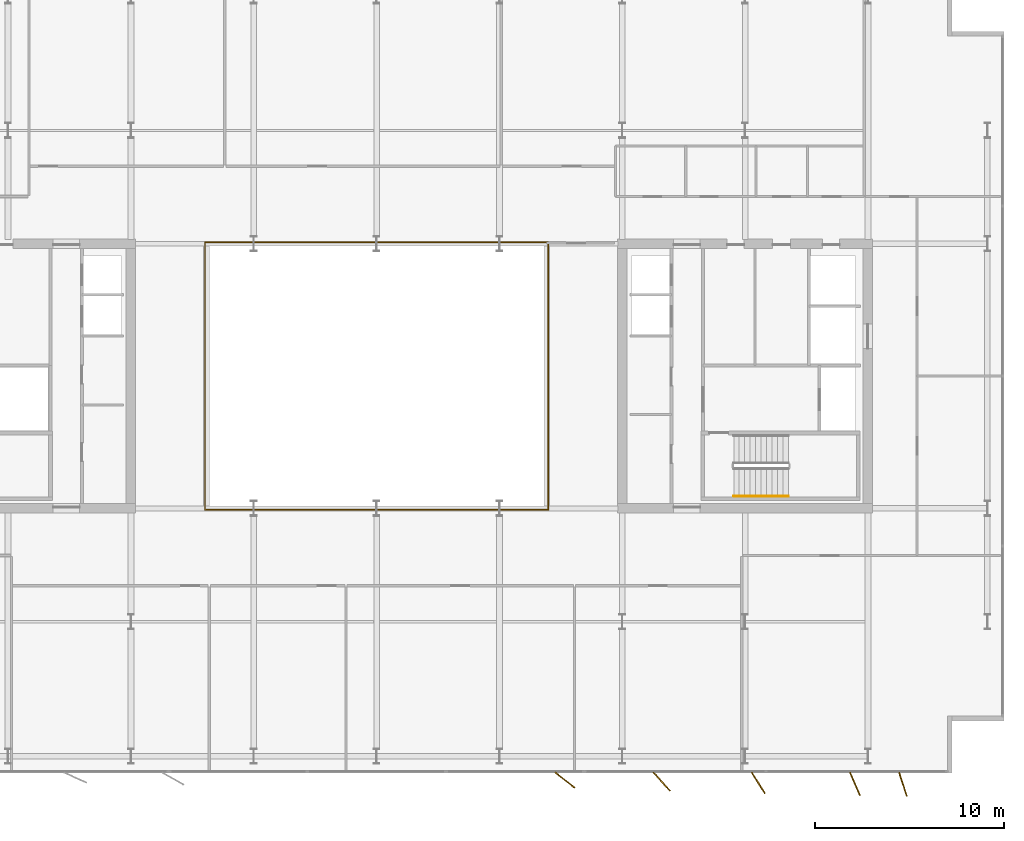
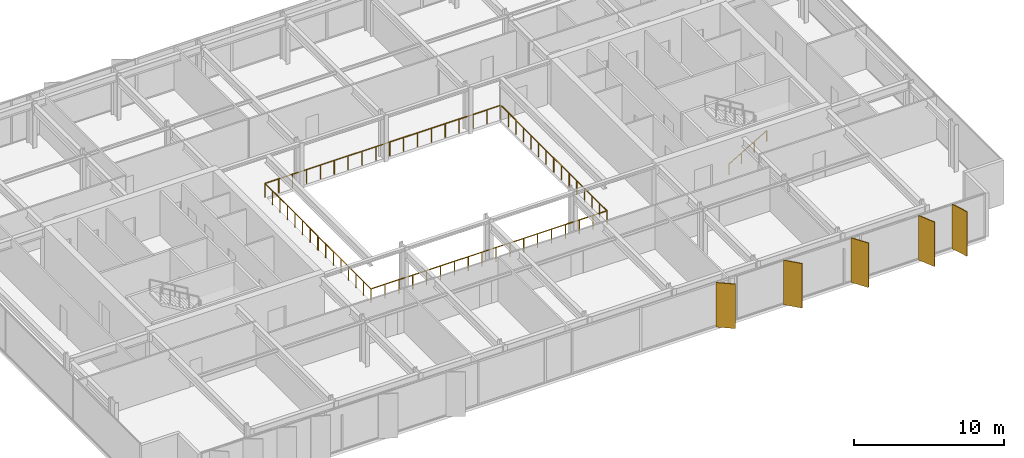
# One storey, part 21 of 23: 5 shading devices, 3 railings.
"""IFC4 building model written with IfcOpenShell, lengths in metres."""

import ifcopenshell
import ifcopenshell.guid

model = None  # the IFC model being written
_history = None  # IfcOwnerHistory: only IFC2X3 demands one
_inside = {}  # id of a spatial element -> (the spatial element, [elements in it])
_under = {}  # id of a project, library or spatial element -> (it, [spatial elements below it])
_declared = {}  # id of a project -> (the project, [libraries it declares])
_typed = {}  # id of a type object -> (the type object, [elements of that type])
_made_of = {}  # id of a material, layer set ... -> (it, [elements and type objects made of it])


def new_model(schema):
    """Start an empty IFC model of exactly this schema.

    Asked for "IFC4X3", IfcOpenShell would pick the latest addendum, in which some entities
    have other attributes; the version numbers below select the first issue.
    IFC2X3 requires an IfcOwnerHistory on every rooted entity: one is made here for all.
    """
    global model, _history
    if schema == "IFC4X3":
        model = ifcopenshell.file(schema_version=(4, 3, 0, 0))
    else:
        model = ifcopenshell.file(schema=schema)
    _inside.clear()
    _under.clear()
    _declared.clear()
    _typed.clear()
    _made_of.clear()
    _history = None
    if model.schema == "IFC2X3":
        org = make("IfcOrganization", Name="unknown")
        user = make(
            "IfcPersonAndOrganization",
            ThePerson=make("IfcPerson", FamilyName="unknown"),
            TheOrganization=org,
        )
        app = make(
            "IfcApplication",
            ApplicationDeveloper=org,
            Version="unknown",
            ApplicationFullName="unknown",
            ApplicationIdentifier="unknown",
        )
        _history = make(
            "IfcOwnerHistory",
            OwningUser=user,
            OwningApplication=app,
            ChangeAction="ADDED",
            CreationDate=0,
        )
    return model


def make(cls, **values):
    """One entity of the class cls with the attributes given. An attribute that is None is left unset."""
    return model.create_entity(
        cls, **{name: value for name, value in values.items() if value is not None}
    )


def rooted(cls, **values):
    """An entity with a GlobalId (a new one), such as an element, a storey or a relation."""
    return make(cls, GlobalId=ifcopenshell.guid.new(), OwnerHistory=_history, **values)


def si_unit(unit_type, name, prefix=None):
    """IfcSIUnit, for example si_unit("LENGTHUNIT", "METRE", prefix="MILLI")."""
    return make("IfcSIUnit", UnitType=unit_type, Prefix=prefix, Name=name)


def assignment(units):
    """IfcUnitAssignment: the units of a project."""
    return None if units is None else make("IfcUnitAssignment", Units=units)


def point(xyz):
    """IfcCartesianPoint."""
    return None if xyz is None else make("IfcCartesianPoint", Coordinates=xyz)


def direction(xyz):
    """IfcDirection."""
    return None if xyz is None else make("IfcDirection", DirectionRatios=xyz)


def frame(location, z_axis=None, x_axis=None):
    """IfcAxis2Placement3D, a coordinate frame: its origin and axes. An axis left out is left unset."""
    return make(
        "IfcAxis2Placement3D",
        Location=point(location),
        Axis=direction(z_axis),
        RefDirection=direction(x_axis),
    )


def frame_2d(location, x_axis=None):
    """IfcAxis2Placement2D, a coordinate frame in the plane: its origin and x axis."""
    return make(
        "IfcAxis2Placement2D", Location=point(location), RefDirection=direction(x_axis)
    )


def origin():
    """The frame at (0, 0, 0) with its axes left unset."""
    return frame((0.0, 0.0, 0.0))


def origin_2d():
    """The frame at (0, 0) in the plane with its x axis left unset."""
    return frame_2d((0.0, 0.0))


def place(relative_to, where):
    """IfcLocalPlacement: puts the frame where relative to a parent placement (None: the world)."""
    return make(
        "IfcLocalPlacement", PlacementRelTo=relative_to, RelativePlacement=where
    )


def context(
    kind, dimensions, precision=None, world=None, true_north=None, identifier=None
):
    """IfcGeometricRepresentationContext, for example the 3D "Model" context."""
    return make(
        "IfcGeometricRepresentationContext",
        ContextIdentifier=identifier,
        ContextType=kind,
        CoordinateSpaceDimension=dimensions,
        Precision=precision,
        WorldCoordinateSystem=world,
        TrueNorth=true_north,
    )


def subcontext(parent, identifier, kind, view, scale=None):
    """IfcGeometricRepresentationSubContext, for example "Body" below "Model"."""
    return make(
        "IfcGeometricRepresentationSubContext",
        ContextIdentifier=identifier,
        ContextType=kind,
        ParentContext=parent,
        TargetScale=scale,
        TargetView=view,
    )


def project(units=None, contexts=None):
    """IfcProject with its units and contexts."""
    return rooted(
        "IfcProject",
        Name="project",
        RepresentationContexts=contexts,
        UnitsInContext=assignment(units),
    )


def spatial(cls, under=None, at=None, **own):
    """A site, building, storey or space (cls), placed at a placement, below another one or the project."""
    s = rooted(cls, ObjectPlacement=at, **own)
    if under is not None:
        _under.setdefault(under.id(), (under, []))[1].append(s)
    return s


def profile(cls, at=None, kind="AREA", **sizes):
    """A parametric profile (cls). Its sizes go by their IFC names, for example OverallWidth=200.0."""
    return make(cls, ProfileType=kind, Position=at, **sizes)


def rectangle(**sizes):
    """IfcRectangleProfileDef."""
    return profile("IfcRectangleProfileDef", **sizes)


def circle(**sizes):
    """IfcCircleProfileDef."""
    return profile("IfcCircleProfileDef", **sizes)


def extrude(swept, where, along, depth):
    """IfcExtrudedAreaSolid: the profile swept, set in the frame where, extruded along a direction by depth."""
    return make(
        "IfcExtrudedAreaSolid",
        SweptArea=swept,
        Position=where,
        ExtrudedDirection=direction(along),
        Depth=depth,
    )


def shape(context_of_items, identifier, shape_type, items):
    """IfcShapeRepresentation: the items that make up one representation, for example the "Body"."""
    return make(
        "IfcShapeRepresentation",
        ContextOfItems=context_of_items,
        RepresentationIdentifier=identifier,
        RepresentationType=shape_type,
        Items=items,
    )


def material(Name=None, Category=None):
    """IfcMaterial."""
    return make("IfcMaterial", Name=Name, Category=Category)


def layer(
    of_material, thickness, ventilated=None, Name=None, Category=None, Priority=None
):
    """IfcMaterialLayer: one layer of a wall or slab, of a material (None: an air gap)."""
    return make(
        "IfcMaterialLayer",
        Material=of_material,
        LayerThickness=thickness,
        IsVentilated=ventilated,
        Name=Name,
        Category=Category,
        Priority=Priority,
    )


def layer_set(layers, Name=None):
    """IfcMaterialLayerSet."""
    return make("IfcMaterialLayerSet", MaterialLayers=layers, LayerSetName=Name)


def made_of(thing, what):
    """Note that an element or type object is made of a material, layer set ...; save() writes the relation."""
    if what is not None:
        _made_of.setdefault(what.id(), (what, []))[1].append(thing)
    return thing


def type_object(cls, material=None, **own):
    """A type object (cls), such as IfcWallType, which elements share."""
    return made_of(rooted(cls, **own), material)


def element(
    cls,
    number,
    at=None,
    inside=None,
    cuts=None,
    type_object=None,
    material=None,
    context=None,
    identifier="Body",
    shape_type=None,
    held_by="IfcProductDefinitionShape",
    body=None,
    shapes=None,
    **own,
):
    """One element of the class cls, such as IfcWall. Its Tag is "e" and its number.

    at: its placement. inside: the storey or other place that contains it. cuts: it is an
    opening in that element (IfcRelVoidsElement). A single representation is given by context,
    identifier, shape_type and body (its items); several are given by shapes. held_by: the class
    of the entity that holds the representations. save() writes the other relations.
    """
    e = rooted(cls, Tag="e%d" % number, ObjectPlacement=at, **own)
    if body is not None:
        shapes = [shape(context, identifier, shape_type, body)]
    if shapes is not None:
        e.Representation = make(held_by, Representations=shapes)
    if inside is not None:
        _inside.setdefault(inside.id(), (inside, []))[1].append(e)
    if cuts is not None:
        rooted(
            "IfcRelVoidsElement", RelatingBuildingElement=cuts, RelatedOpeningElement=e
        )
    if type_object is not None:
        _typed.setdefault(type_object.id(), (type_object, []))[1].append(e)
    return made_of(e, material)


def aggregate(whole, parts):
    """IfcRelAggregates: a whole, such as a stair, and the parts it consists of."""
    return rooted("IfcRelAggregates", RelatingObject=whole, RelatedObjects=parts)


def save(model, path):
    """Write the relations noted so far, then the file.

    IfcRelAggregates (storeys below a building ...), IfcRelContainedInSpatialStructure (elements
    in a storey), IfcRelDefinesByType, IfcRelAssociatesMaterial and IfcRelDeclares: one each for
    every whole, place, type object, material and project.
    """
    for whole, parts in _under.values():
        aggregate(whole, parts)
    for where, things in _inside.values():
        rooted(
            "IfcRelContainedInSpatialStructure",
            RelatedElements=things,
            RelatingStructure=where,
        )
    for kind, things in _typed.values():
        rooted("IfcRelDefinesByType", RelatedObjects=things, RelatingType=kind)
    for what, things in _made_of.values():
        rooted("IfcRelAssociatesMaterial", RelatedObjects=things, RelatingMaterial=what)
    for by, libraries in _declared.values():
        rooted("IfcRelDeclares", RelatingContext=by, RelatedDefinitions=libraries)
    model.write(path)


model = new_model("IFC4")

# Units and contexts
model_context = context("Model", 3, precision=1e-05, world=origin(), true_north=direction((0.0, 1.0)))
body_context = subcontext(model_context, "Body", "Model", "MODEL_VIEW")
ifc_project = project(units=[si_unit("LENGTHUNIT", "METRE"), si_unit("AREAUNIT", "SQUARE_METRE"), si_unit("VOLUMEUNIT", "CUBIC_METRE"), si_unit("PLANEANGLEUNIT", "RADIAN"), si_unit("MASSUNIT", "GRAM", prefix="KILO")], contexts=[model_context])

# Site, building, storey
site_placement = place(None, origin())
site = spatial("IfcSite", under=ifc_project, at=site_placement, CompositionType="ELEMENT")
building_placement = place(site_placement, origin())
building = spatial("IfcBuilding", under=site, at=building_placement, Name="Putna Gate Headquarters", CompositionType="ELEMENT")
storey_placement = place(building_placement, frame((0.0, 0.0, 210.0)))
storey = spatial("IfcBuildingStorey", under=building, at=storey_placement, Name="L52", CompositionType="ELEMENT", Elevation=210.0)

# Railings
ifc_material_1 = material(Name="Anodised bronze and laminated glass atrium balustrade", Category="glass")
railing_type_1 = type_object("IfcRailingType", Name="RAIL-ATRIUM-GUARD-1150", PredefinedType="GUARDRAIL", material=ifc_material_1)
railing_1_placement = place(storey_placement, frame((29.919921875, 25.969970703125, 0.0)))
element("IfcRailing", 1, at=railing_1_placement, inside=storey, type_object=railing_type_1, Name="L52 Central Atrium Glazed Balustrade South", PredefinedType="GUARDRAIL", context=body_context, shape_type="SweptSolid", body=[
    extrude(circle(Radius=0.02392578125, at=origin_2d()), frame((0.0, 0.0, 1.1259765625), z_axis=(0.0, -1.0, 0.0), x_axis=(1.0, 0.0, 0.0)), (0.0, 0.0, 1.0), 7.050048828125),
    extrude(circle(Radius=0.02392578125, at=origin_2d()), frame((0.0, -7.050048828125, 1.1259765625), z_axis=(1.0, 0.0, 0.0), x_axis=(0.0, 1.0, 0.0)), (0.0, 0.0, 1.0), 18.16015625),
    extrude(circle(Radius=0.02392578125, at=origin_2d()), frame((18.16015625, -7.050048828125, 1.1259765625), z_axis=(0.0, 1.0, 0.0), x_axis=(-1.0, 0.0, 0.0)), (0.0, 0.0, 1.0), 7.050048828125),
    extrude(circle(Radius=0.02099609375, at=origin_2d()), origin(), (0.0, 0.0, 1.0), 1.101806640625),
    extrude(circle(Radius=0.02099609375, at=origin_2d()), frame((0.0, -1.007080078125, 0.0)), (0.0, 0.0, 1.0), 1.101806640625),
    extrude(circle(Radius=0.02099609375, at=origin_2d()), frame((0.0, -2.014404296875, 0.0)), (0.0, 0.0, 1.0), 1.101806640625),
    extrude(circle(Radius=0.02099609375, at=origin_2d()), frame((0.0, -3.021484375, 0.0)), (0.0, 0.0, 1.0), 1.101806640625),
    extrude(circle(Radius=0.02099609375, at=origin_2d()), frame((0.0, -4.028564453125, 0.0)), (0.0, 0.0, 1.0), 1.101806640625),
    extrude(circle(Radius=0.02099609375, at=origin_2d()), frame((0.0, -5.03564453125, 0.0)), (0.0, 0.0, 1.0), 1.101806640625),
    extrude(circle(Radius=0.02099609375, at=origin_2d()), frame((0.0, -6.04296875, 0.0)), (0.0, 0.0, 1.0), 1.101806640625),
    extrude(circle(Radius=0.02099609375, at=origin_2d()), frame((0.0, -7.050048828125, 0.0)), (0.0, 0.0, 1.0), 1.101806640625),
    extrude(circle(Radius=0.02099609375, at=origin_2d()), frame((1.068359375, -7.050048828125, 0.0)), (0.0, 0.0, 1.0), 1.101806640625),
    extrude(circle(Radius=0.02099609375, at=origin_2d()), frame((2.136474609375, -7.050048828125, 0.0)), (0.0, 0.0, 1.0), 1.101806640625),
    extrude(circle(Radius=0.02099609375, at=origin_2d()), frame((3.204833984375, -7.050048828125, 0.0)), (0.0, 0.0, 1.0), 1.101806640625),
    extrude(circle(Radius=0.02099609375, at=origin_2d()), frame((4.27294921875, -7.050048828125, 0.0)), (0.0, 0.0, 1.0), 1.101806640625),
    extrude(circle(Radius=0.02099609375, at=origin_2d()), frame((5.34130859375, -7.050048828125, 0.0)), (0.0, 0.0, 1.0), 1.101806640625),
    extrude(circle(Radius=0.02099609375, at=origin_2d()), frame((6.409423828125, -7.050048828125, 0.0)), (0.0, 0.0, 1.0), 1.101806640625),
    extrude(circle(Radius=0.02099609375, at=origin_2d()), frame((7.477783203125, -7.050048828125, 0.0)), (0.0, 0.0, 1.0), 1.101806640625),
    extrude(circle(Radius=0.02099609375, at=origin_2d()), frame((8.5458984375, -7.050048828125, 0.0)), (0.0, 0.0, 1.0), 1.101806640625),
    extrude(circle(Radius=0.02099609375, at=origin_2d()), frame((9.6142578125, -7.050048828125, 0.0)), (0.0, 0.0, 1.0), 1.101806640625),
    extrude(circle(Radius=0.02099609375, at=origin_2d()), frame((10.682373046875, -7.050048828125, 0.0)), (0.0, 0.0, 1.0), 1.101806640625),
    extrude(circle(Radius=0.02099609375, at=origin_2d()), frame((11.750732421875, -7.050048828125, 0.0)), (0.0, 0.0, 1.0), 1.101806640625),
    extrude(circle(Radius=0.02099609375, at=origin_2d()), frame((12.81884765625, -7.050048828125, 0.0)), (0.0, 0.0, 1.0), 1.101806640625),
    extrude(circle(Radius=0.02099609375, at=origin_2d()), frame((13.88720703125, -7.050048828125, 0.0)), (0.0, 0.0, 1.0), 1.101806640625),
    extrude(circle(Radius=0.02099609375, at=origin_2d()), frame((14.955322265625, -7.050048828125, 0.0)), (0.0, 0.0, 1.0), 1.101806640625),
    extrude(circle(Radius=0.02099609375, at=origin_2d()), frame((16.023681640625, -7.050048828125, 0.0)), (0.0, 0.0, 1.0), 1.101806640625),
    extrude(circle(Radius=0.02099609375, at=origin_2d()), frame((17.091796875, -7.050048828125, 0.0)), (0.0, 0.0, 1.0), 1.101806640625),
    extrude(circle(Radius=0.02099609375, at=origin_2d()), frame((18.16015625, -7.050048828125, 0.0)), (0.0, 0.0, 1.0), 1.101806640625),
    extrude(circle(Radius=0.02099609375, at=origin_2d()), frame((18.16015625, -6.04296875, 0.0)), (0.0, 0.0, 1.0), 1.101806640625),
    extrude(circle(Radius=0.02099609375, at=origin_2d()), frame((18.16015625, -5.03564453125, 0.0)), (0.0, 0.0, 1.0), 1.101806640625),
    extrude(circle(Radius=0.02099609375, at=origin_2d()), frame((18.16015625, -4.028564453125, 0.0)), (0.0, 0.0, 1.0), 1.101806640625),
    extrude(circle(Radius=0.02099609375, at=origin_2d()), frame((18.16015625, -3.021484375, 0.0)), (0.0, 0.0, 1.0), 1.101806640625),
    extrude(circle(Radius=0.02099609375, at=origin_2d()), frame((18.16015625, -2.014404296875, 0.0)), (0.0, 0.0, 1.0), 1.101806640625),
    extrude(circle(Radius=0.02099609375, at=origin_2d()), frame((18.16015625, -1.007080078125, 0.0)), (0.0, 0.0, 1.0), 1.101806640625),
    extrude(circle(Radius=0.02099609375, at=origin_2d()), frame((18.16015625, 0.0, 0.0)), (0.0, 0.0, 1.0), 1.101806640625),
])
railing_2_placement = place(storey_placement, frame((48.080078125, 26.030029296875, 0.0)))
element("IfcRailing", 2, at=railing_2_placement, inside=storey, type_object=railing_type_1, Name="L52 Central Atrium Glazed Balustrade North", PredefinedType="GUARDRAIL", context=body_context, shape_type="SweptSolid", body=[
    extrude(circle(Radius=0.02392578125, at=origin_2d()), frame((0.0, 0.0, 1.1259765625), z_axis=(0.0, 1.0, 0.0), x_axis=(-1.0, 0.0, 0.0)), (0.0, 0.0, 1.0), 7.050048828125),
    extrude(circle(Radius=0.02392578125, at=origin_2d()), frame((0.0, 7.050048828125, 1.1259765625), z_axis=(-1.0, 0.0, 0.0), x_axis=(0.0, -1.0, 0.0)), (0.0, 0.0, 1.0), 18.16015625),
    extrude(circle(Radius=0.02392578125, at=origin_2d()), frame((-18.16015625, 7.050048828125, 1.1259765625), z_axis=(0.0, -1.0, 0.0), x_axis=(1.0, 0.0, 0.0)), (0.0, 0.0, 1.0), 7.050048828125),
    extrude(circle(Radius=0.02099609375, at=origin_2d()), origin(), (0.0, 0.0, 1.0), 1.101806640625),
    extrude(circle(Radius=0.02099609375, at=origin_2d()), frame((0.0, 1.007080078125, 0.0)), (0.0, 0.0, 1.0), 1.101806640625),
    extrude(circle(Radius=0.02099609375, at=origin_2d()), frame((0.0, 2.014404296875, 0.0)), (0.0, 0.0, 1.0), 1.101806640625),
    extrude(circle(Radius=0.02099609375, at=origin_2d()), frame((0.0, 3.021484375, 0.0)), (0.0, 0.0, 1.0), 1.101806640625),
    extrude(circle(Radius=0.02099609375, at=origin_2d()), frame((0.0, 4.028564453125, 0.0)), (0.0, 0.0, 1.0), 1.101806640625),
    extrude(circle(Radius=0.02099609375, at=origin_2d()), frame((0.0, 5.03564453125, 0.0)), (0.0, 0.0, 1.0), 1.101806640625),
    extrude(circle(Radius=0.02099609375, at=origin_2d()), frame((0.0, 6.04296875, 0.0)), (0.0, 0.0, 1.0), 1.101806640625),
    extrude(circle(Radius=0.02099609375, at=origin_2d()), frame((0.0, 7.050048828125, 0.0)), (0.0, 0.0, 1.0), 1.101806640625),
    extrude(circle(Radius=0.02099609375, at=origin_2d()), frame((-1.068359375, 7.050048828125, 0.0)), (0.0, 0.0, 1.0), 1.101806640625),
    extrude(circle(Radius=0.02099609375, at=origin_2d()), frame((-2.136474609375, 7.050048828125, 0.0)), (0.0, 0.0, 1.0), 1.101806640625),
    extrude(circle(Radius=0.02099609375, at=origin_2d()), frame((-3.204833984375, 7.050048828125, 0.0)), (0.0, 0.0, 1.0), 1.101806640625),
    extrude(circle(Radius=0.02099609375, at=origin_2d()), frame((-4.27294921875, 7.050048828125, 0.0)), (0.0, 0.0, 1.0), 1.101806640625),
    extrude(circle(Radius=0.02099609375, at=origin_2d()), frame((-5.34130859375, 7.050048828125, 0.0)), (0.0, 0.0, 1.0), 1.101806640625),
    extrude(circle(Radius=0.02099609375, at=origin_2d()), frame((-6.409423828125, 7.050048828125, 0.0)), (0.0, 0.0, 1.0), 1.101806640625),
    extrude(circle(Radius=0.02099609375, at=origin_2d()), frame((-7.477783203125, 7.050048828125, 0.0)), (0.0, 0.0, 1.0), 1.101806640625),
    extrude(circle(Radius=0.02099609375, at=origin_2d()), frame((-8.5458984375, 7.050048828125, 0.0)), (0.0, 0.0, 1.0), 1.101806640625),
    extrude(circle(Radius=0.02099609375, at=origin_2d()), frame((-9.6142578125, 7.050048828125, 0.0)), (0.0, 0.0, 1.0), 1.101806640625),
    extrude(circle(Radius=0.02099609375, at=origin_2d()), frame((-10.682373046875, 7.050048828125, 0.0)), (0.0, 0.0, 1.0), 1.101806640625),
    extrude(circle(Radius=0.02099609375, at=origin_2d()), frame((-11.750732421875, 7.050048828125, 0.0)), (0.0, 0.0, 1.0), 1.101806640625),
    extrude(circle(Radius=0.02099609375, at=origin_2d()), frame((-12.81884765625, 7.050048828125, 0.0)), (0.0, 0.0, 1.0), 1.101806640625),
    extrude(circle(Radius=0.02099609375, at=origin_2d()), frame((-13.88720703125, 7.050048828125, 0.0)), (0.0, 0.0, 1.0), 1.101806640625),
    extrude(circle(Radius=0.02099609375, at=origin_2d()), frame((-14.955322265625, 7.050048828125, 0.0)), (0.0, 0.0, 1.0), 1.101806640625),
    extrude(circle(Radius=0.02099609375, at=origin_2d()), frame((-16.023681640625, 7.050048828125, 0.0)), (0.0, 0.0, 1.0), 1.101806640625),
    extrude(circle(Radius=0.02099609375, at=origin_2d()), frame((-17.091796875, 7.050048828125, 0.0)), (0.0, 0.0, 1.0), 1.101806640625),
    extrude(circle(Radius=0.02099609375, at=origin_2d()), frame((-18.16015625, 7.050048828125, 0.0)), (0.0, 0.0, 1.0), 1.101806640625),
    extrude(circle(Radius=0.02099609375, at=origin_2d()), frame((-18.16015625, 6.04296875, 0.0)), (0.0, 0.0, 1.0), 1.101806640625),
    extrude(circle(Radius=0.02099609375, at=origin_2d()), frame((-18.16015625, 5.03564453125, 0.0)), (0.0, 0.0, 1.0), 1.101806640625),
    extrude(circle(Radius=0.02099609375, at=origin_2d()), frame((-18.16015625, 4.028564453125, 0.0)), (0.0, 0.0, 1.0), 1.101806640625),
    extrude(circle(Radius=0.02099609375, at=origin_2d()), frame((-18.16015625, 3.021484375, 0.0)), (0.0, 0.0, 1.0), 1.101806640625),
    extrude(circle(Radius=0.02099609375, at=origin_2d()), frame((-18.16015625, 2.014404296875, 0.0)), (0.0, 0.0, 1.0), 1.101806640625),
    extrude(circle(Radius=0.02099609375, at=origin_2d()), frame((-18.16015625, 1.007080078125, 0.0)), (0.0, 0.0, 1.0), 1.101806640625),
    extrude(circle(Radius=0.02099609375, at=origin_2d()), frame((-18.16015625, 0.0, 0.0)), (0.0, 0.0, 1.0), 1.101806640625),
])
ifc_material_2 = material(Name="Brushed stainless steel handrail", Category="steel")
railing_type_2 = type_object("IfcRailingType", Name="RAIL-STAIR-HAND-900", PredefinedType="HANDRAIL", material=ifc_material_2)
railing_3_placement = place(storey_placement, frame((57.89990234375, 19.64990234375, 0.172607421875)))
element("IfcRailing", 3, at=railing_3_placement, inside=storey, type_object=railing_type_2, Name="L52 ST2 stair handrail 1", PredefinedType="HANDRAIL", context=body_context, shape_type="SweptSolid", body=[
    extrude(circle(Radius=0.02392578125, at=origin_2d()), frame((0.0, 0.0, 0.8759765625), z_axis=(0.859160404282, 0.0, 0.51170636083), x_axis=(0.0, 1.0, 0.0)), (0.0, 0.0, 1.0), 3.37548828125),
    extrude(circle(Radius=0.02099609375, at=origin_2d()), origin(), (0.0, 0.0, 1.0), 0.851806640625),
    extrude(circle(Radius=0.02099609375, at=origin_2d()), frame((0.966796875, 0.0, 0.57568359375)), (0.0, 0.0, 1.0), 0.851806640625),
    extrude(circle(Radius=0.02099609375, at=origin_2d()), frame((1.933349609375, 0.0, 1.151611328125)), (0.0, 0.0, 1.0), 0.851806640625),
    extrude(circle(Radius=0.02099609375, at=origin_2d()), frame((2.900146484375, 0.0, 1.727294921875)), (0.0, 0.0, 1.0), 0.851806640625),
])

# Shading devices
ifc_material_3 = material(Name="Anodised architectural bronze aluminium fin", Category="aluminium")
ifc_layer = layer(ifc_material_3, 0.06494140625)
ifc_layer_set = layer_set([ifc_layer], Name="Anodised architectural bronze aluminium fin")
shading_device_type = type_object("IfcShadingDeviceType", Name="SHADE-BRONZE-FIN-1320", PredefinedType="USERDEFINED", material=ifc_layer_set)
for number, where, z_axis, x_axis, name in (
    (4, (48.9697265625, 4.6181640625, -0.02001953125), (0.0, 0.0, 1.0), (0.787473187632, -0.616348909921, 0.0), "L52 Bronze Vertical Shading Fin S7"),
    (5, (54.091552734375, 4.534423828125, -0.02001953125), (0.0, 0.0, 1.0), (0.669130606359, -0.743144825477, 0.0), "L52 Bronze Vertical Shading Fin S8"),
    (6, (59.2001953125, 4.465576171875, -0.02001953125), (0.0, 0.0, 1.0), (0.530659123936, -0.847585331506, 0.0), "L52 Bronze Vertical Shading Fin S9"),
    (7, (64.314453125, 4.42041015625, -0.02001953125), (0.0, 0.0, 1.0), (0.400668879095, -0.916222925562, 0.0), "L52 Bronze Vertical Shading Fin S10"),
    (8, (66.853759765625, 4.397216796875, -0.02001953125), (0.0, 0.0, 1.0), (0.308684994204, -0.951164325631, 0.0), "L52 Bronze Vertical Shading Fin S11"),
):
    element("IfcShadingDevice", number, at=place(storey_placement, frame(where, z_axis=z_axis, x_axis=x_axis)), inside=storey, type_object=shading_device_type, Name=name, ObjectType="FIN", PredefinedType="USERDEFINED", context=body_context, shape_type="SweptSolid", body=[
        extrude(rectangle(XDim=1.320068359375, YDim=0.06494140625, at=origin_2d()), origin(), (0.0, 0.0, 1.0), 3.6201171875),
    ])

save(model, "model.ifc")
